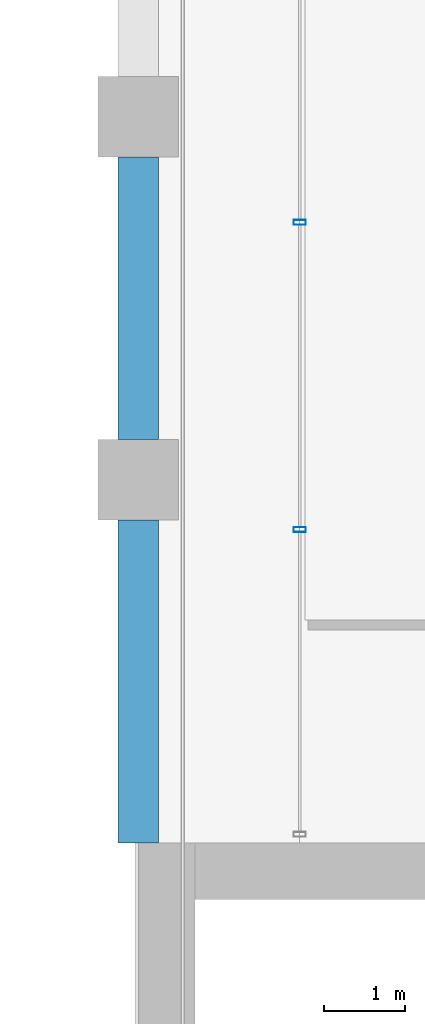
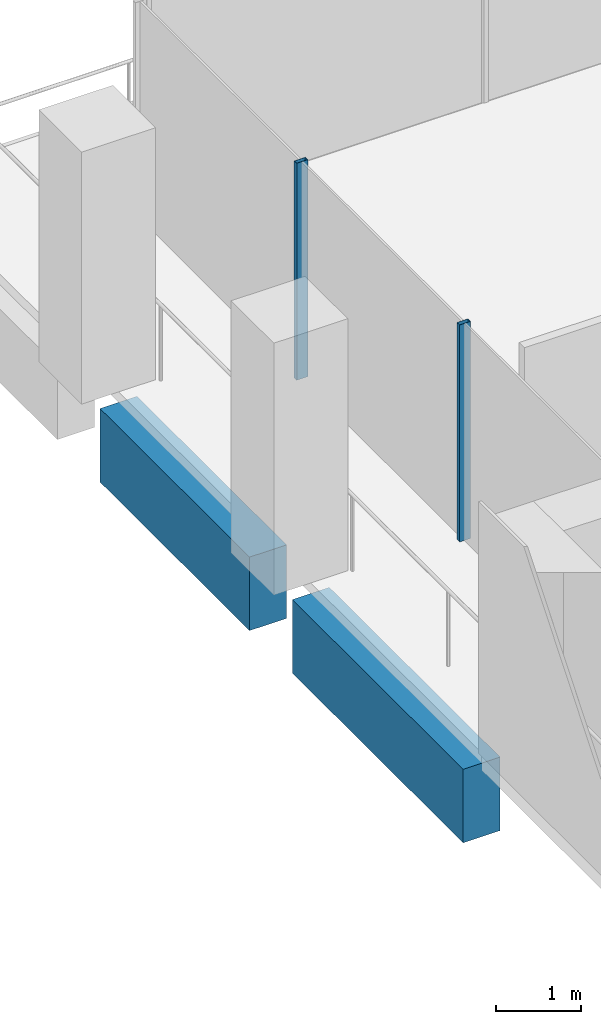
# One storey, part 20 of 46: 2 beams, 2 members, 1 element without a shape of its own.
"""IFC4 building model written with IfcOpenShell, lengths in metres."""

from ifc_helpers import new_model, si_unit, direction, frame, origin, origin_2d, place, context, subcontext, project, spatial, rectangle, hollow_rectangle, extrude, material, material_profile, profile_set, type_object, element, aggregate, save


model = new_model("IFC4")

# Units and contexts
model_context = context("Model", 3, precision=1e-05, world=origin(), true_north=direction((0.0, 1.0)))
body_context = subcontext(model_context, "Body", "Model", "MODEL_VIEW")
ifc_project = project(units=[si_unit("LENGTHUNIT", "METRE"), si_unit("AREAUNIT", "SQUARE_METRE"), si_unit("VOLUMEUNIT", "CUBIC_METRE"), si_unit("PLANEANGLEUNIT", "RADIAN"), si_unit("MASSUNIT", "GRAM", prefix="KILO")], contexts=[model_context])

# Site, building, storey
site_placement = place(None, origin())
site = spatial("IfcSite", under=ifc_project, at=site_placement, CompositionType="ELEMENT")
building_placement = place(site_placement, origin())
building = spatial("IfcBuilding", under=site, at=building_placement, Name="Altepetl Exchange Towers", CompositionType="ELEMENT")
storey_placement = place(building_placement, frame((0.0, 0.0, 131.60009765625)))
storey = spatial("IfcBuildingStorey", under=building, at=storey_placement, Name="L32", CompositionType="ELEMENT", Elevation=131.60009765625)

# Curtain wall, members
ifc_material_1 = material(Name="Aluminium 6063-T6 glazing", Category="aluminium")
curtain_wall_type = type_object("IfcCurtainWallType", Name="Loggia glazing system", PredefinedType="NOTDEFINED", material=ifc_material_1)
curtain_wall_placement = place(storey_placement, origin())
curtain_wall = element("IfcCurtainWall", 1, at=curtain_wall_placement, inside=storey, type_object=curtain_wall_type, Name="CW1 run", PredefinedType="NOTDEFINED")
ifc_material_2 = material(Name="Aluminium 6063-T6", Category="aluminium")
ifc_material_profile_1 = material_profile(ifc_material_2, hollow_rectangle(XDim=0.06005859375, YDim=0.14990234375, WallThickness=0.0029296875, at=origin_2d()), Name="Mullion 60x150 aluminium")
ifc_profile_set_1 = profile_set([ifc_material_profile_1], Name="Aluminium 6063-T6")
member_type = type_object("IfcMemberType", Name="Mullion 60x150 aluminium", PredefinedType="MULLION", material=ifc_profile_set_1)
member_1_placement = place(storey_placement, frame((42.5, 66.191650390625, 0.0), z_axis=(0.0, 0.0, 1.0), x_axis=(0.0, -1.0, 0.0)))
member_1 = element("IfcMember", 2, at=member_1_placement, type_object=member_type, Name="MU1 mullion", PredefinedType="MULLION", context=body_context, shape_type="SweptSolid", body=[
    extrude(hollow_rectangle(XDim=0.06005859375, YDim=0.14990234375, WallThickness=0.0029296875, at=origin_2d()), origin(), (0.0, 0.0, 1.0), 3.099853515625),
])
member_2_placement = place(storey_placement, frame((42.5, 62.38330078125, 0.0), z_axis=(0.0, 0.0, 1.0), x_axis=(0.0, -1.0, 0.0)))
member_2 = element("IfcMember", 3, at=member_2_placement, type_object=member_type, Name="MU1 mullion", PredefinedType="MULLION", context=body_context, shape_type="SweptSolid", body=[
    extrude(hollow_rectangle(XDim=0.06005859375, YDim=0.14990234375, WallThickness=0.0029296875, at=origin_2d()), origin(), (0.0, 0.0, 1.0), 3.099853515625),
])
aggregate(curtain_wall, [member_1, member_2])

# Beams
ifc_material_3 = material(Name="Concrete C50/60 precast with tezontle facing", Category="concrete")
ifc_material_profile_2 = material_profile(ifc_material_3, rectangle(XDim=0.5, YDim=1.050048828125, at=origin_2d()), Name="500 x 1050")
ifc_profile_set_2 = profile_set([ifc_material_profile_2], Name="Concrete C50/60 precast with tezontle facing")
beam_type = type_object("IfcBeamType", Name="Spandrel beam 500x1050 tezontle", PredefinedType="SPANDREL", material=ifc_profile_set_2)
beam_1_placement = place(storey_placement, frame((40.5, 67.0, -0.675048828125), z_axis=(0.0, -1.0, 0.0), x_axis=(1.0, 0.0, 0.0)))
element("IfcBeam", 4, at=beam_1_placement, inside=storey, type_object=beam_type, Name="sp:A:L32:031", PredefinedType="SPANDREL", context=body_context, shape_type="SweptSolid", body=[
    extrude(rectangle(XDim=0.5, YDim=1.050048828125, at=origin_2d()), origin(), (0.0, 0.0, 1.0), 3.5),
])
beam_2_placement = place(storey_placement, frame((40.5, 62.5, -0.675048828125), z_axis=(0.0, -1.0, 0.0), x_axis=(1.0, 0.0, 0.0)))
element("IfcBeam", 5, at=beam_2_placement, inside=storey, type_object=beam_type, Name="sp:A:L32:032", PredefinedType="SPANDREL", context=body_context, shape_type="SweptSolid", body=[
    extrude(rectangle(XDim=0.5, YDim=1.050048828125, at=origin_2d()), origin(), (0.0, 0.0, 1.0), 4.0),
])

save(model, "model.ifc")
